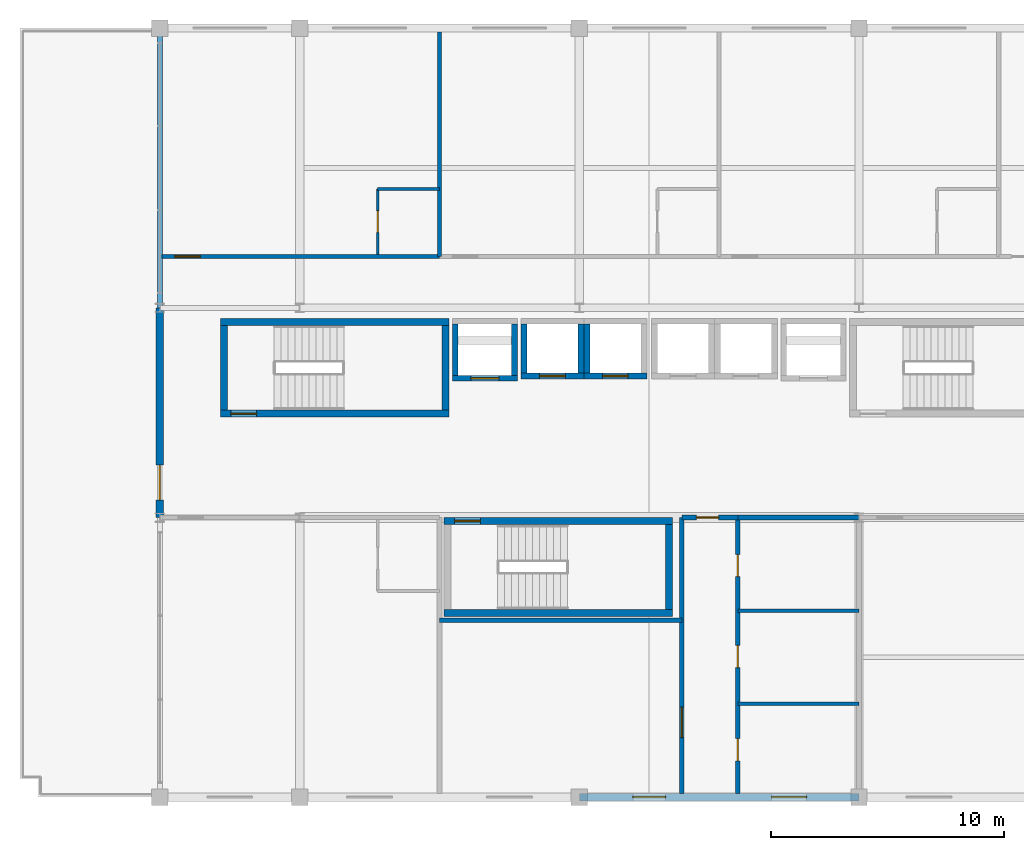
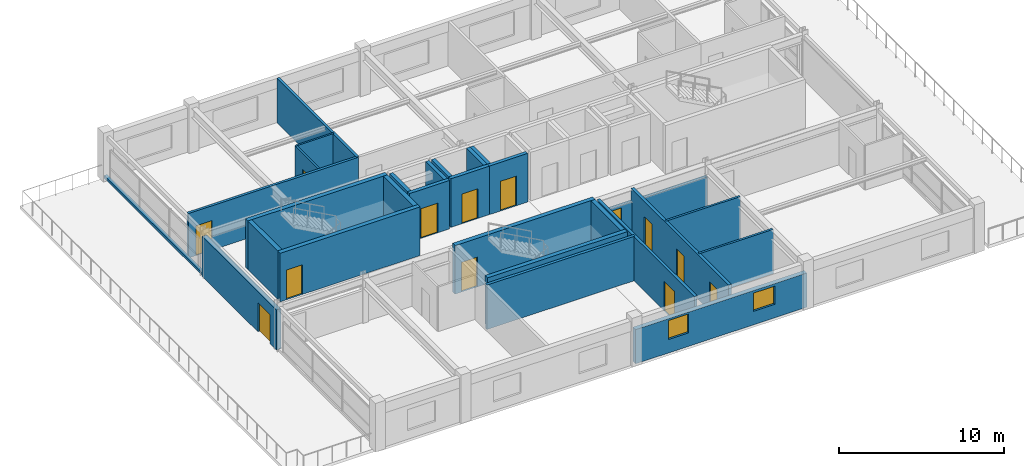
# One storey, part 20 of 24: 29 walls, 13 doors, 2 windows, 15 openings.
"""IFC4 building model written with IfcOpenShell, lengths in metres."""

from ifc_helpers import new_model, si_unit, direction, frame, frame_2d, origin, place, context, subcontext, project, spatial, rectangle, extrude, material, layer, layer_set, type_object, element, fill, save


model = new_model("IFC4")

# Units and contexts
model_context = context("Model", 3, precision=1e-05, world=origin(), true_north=direction((0.0, 1.0)))
body_context = subcontext(model_context, "Body", "Model", "MODEL_VIEW")
ifc_project = project(units=[si_unit("LENGTHUNIT", "METRE"), si_unit("AREAUNIT", "SQUARE_METRE"), si_unit("VOLUMEUNIT", "CUBIC_METRE"), si_unit("PLANEANGLEUNIT", "RADIAN"), si_unit("MASSUNIT", "GRAM", prefix="KILO")], contexts=[model_context])

# Site, building, storey
site_placement = place(None, origin())
site = spatial("IfcSite", under=ifc_project, at=site_placement, CompositionType="ELEMENT")
building_placement = place(site_placement, origin())
building = spatial("IfcBuilding", under=site, at=building_placement, Name="Kaldorvane Square Convention Centre", CompositionType="ELEMENT")
storey_placement = place(building_placement, frame((0.0, 0.0, 60.0)))
storey = spatial("IfcBuildingStorey", under=building, at=storey_placement, Name="L14", CompositionType="ELEMENT", Elevation=60.0)

# Wall, opening, door
ifc_material_1 = material(Name="Fire-Rated Gypsum Board on Acoustic Steel Studs", Category="steel")
ifc_layer_1 = layer(ifc_material_1, 0.125)
ifc_layer_set_1 = layer_set([ifc_layer_1], Name="Fire-Rated Gypsum Board on Acoustic Steel Studs")
wall_type_1 = type_object("IfcWallType", Name="WL-BATH-125", PredefinedType="PARTITIONING", material=ifc_layer_set_1)
wall_1_placement = place(storey_placement, frame((45.350006103515625, 107.28999328613281, 0.0), z_axis=(0.0, 0.0, 1.0), x_axis=(0.0, 1.0, 0.0)))
wall_1 = element("IfcWall", 1, at=wall_1_placement, inside=storey, type_object=wall_type_1, Name="En-Suite 1401 West Wall", PredefinedType="PARTITIONING", context=body_context, shape_type="SweptSolid", body=[
    extrude(rectangle(XDim=2.8100128173828125, YDim=0.125, at=frame_2d((1.404998779296875, 0.0))), origin(), (0.0, 0.0, 1.0), 3.2899932861328125),
])
opening_1_placement = place(wall_1_placement, frame((0.9499969482421875, 0.0, 0.0)))
opening_1 = element("IfcOpeningElement", 2, at=opening_1_placement, cuts=wall_1, Name="Opening ID-12", PredefinedType="OPENING", context=body_context, shape_type="SweptSolid", body=[
    extrude(rectangle(XDim=0.9199981689453125, YDim=2.100006103515625, at=frame_2d((0.459991455078125, 1.0500030517578125))), frame((0.0, 0.0774993896484375, 0.0), z_axis=(0.0, -1.0, 0.0), x_axis=(1.0, 0.0, 0.0)), (0.0, 0.0, 1.0), 0.154998779296875),
])
ifc_material_2 = material(Name="Architectural Solid-Core White Oak")
door_type_1 = type_object("IfcDoorType", Name="DR-BATH-0920X2100", OperationType="SINGLE_SWING_RIGHT", PredefinedType="DOOR", material=ifc_material_2)
door_1_placement = place(opening_1_placement, origin())
door_1 = element("IfcDoor", 3, at=door_1_placement, inside=storey, type_object=door_type_1, Name="En-Suite Bathroom 1401 Door", OperationType="SINGLE_SWING_RIGHT", OverallHeight=2.100006103515625, OverallWidth=0.9199981689453125, PredefinedType="DOOR", context=body_context, shape_type="SweptSolid", body=[
    extrude(rectangle(XDim=0.9199981689453125, YDim=2.100006103515625, at=frame_2d((0.459991455078125, 1.0500030517578125))), frame((0.0, 0.024993896484375, 0.0), z_axis=(0.0, -1.0, 0.0), x_axis=(1.0, 0.0, 0.0)), (0.0, 0.0, 1.0), 0.0500030517578125),
])
fill(opening_1, door_1)

# Wall
wall_2_placement = place(storey_placement, frame((45.350006103515625, 110.10000610351562, 0.0), z_axis=(0.0, 0.0, 1.0), x_axis=(1.0, 0.0, 0.0)))
element("IfcWall", 4, at=wall_2_placement, inside=storey, type_object=wall_type_1, Name="En-Suite 1401 North Wall", PredefinedType="PARTITIONING", context=body_context, shape_type="SweptSolid", body=[
    extrude(rectangle(XDim=2.649993896484375, YDim=0.125, at=frame_2d((1.3249969482421875, 0.0))), origin(), (0.0, 0.0, 1.0), 3.2899932861328125),
])

# Wall, opening, door
ifc_layer_2 = layer(ifc_material_1, 0.1999969482421875)
ifc_layer_set_2 = layer_set([ifc_layer_2], Name="Fire-Rated Gypsum Board on Acoustic Steel Studs")
wall_type_2 = type_object("IfcWallType", Name="WL-CORR-200", PredefinedType="PARTITIONING", material=ifc_layer_set_2)
wall_3_placement = place(storey_placement, frame((58.399993896484375, 96.0, 0.0), z_axis=(0.0, 0.0, 1.0), x_axis=(1.0, 0.0, 0.0)))
wall_3 = element("IfcWall", 5, at=wall_3_placement, inside=storey, type_object=wall_type_2, Name="Restroom Vestibule Entry Header (L14)", PredefinedType="PARTITIONING", context=body_context, shape_type="SweptSolid", body=[
    extrude(rectangle(XDim=2.4000091552734375, YDim=0.1999969482421875, at=frame_2d((1.20001220703125, 0.0))), origin(), (0.0, 0.0, 1.0), 2.3589935302734375),
])
opening_2_placement = place(wall_3_placement, frame((0.625, 0.0, 0.0)))
opening_2 = element("IfcOpeningElement", 6, at=opening_2_placement, cuts=wall_3, Name="Opening ID-13", PredefinedType="OPENING", context=body_context, shape_type="SweptSolid", body=[
    extrude(rectangle(XDim=0.9499969482421875, YDim=2.149993896484375, at=frame_2d((0.475006103515625, 1.0749969482421875))), frame((0.0, 0.114990234375, 0.0), z_axis=(0.0, -1.0, 0.0), x_axis=(1.0, 0.0, 0.0)), (0.0, 0.0, 1.0), 0.2299957275390625),
])
door_type_2 = type_object("IfcDoorType", Name="DR-WC-0950X2150", OperationType="SINGLE_SWING_LEFT", PredefinedType="DOOR", material=ifc_material_2)
door_2_placement = place(opening_2_placement, origin())
door_2 = element("IfcDoor", 7, at=door_2_placement, inside=storey, type_object=door_type_2, Name="Restroom Vestibule Door (L14)", OperationType="SINGLE_SWING_LEFT", OverallHeight=2.149993896484375, OverallWidth=0.9499969482421875, PredefinedType="DOOR", context=body_context, shape_type="SweptSolid", body=[
    extrude(rectangle(XDim=0.9499969482421875, YDim=2.149993896484375, at=frame_2d((0.475006103515625, 1.0749969482421875))), frame((0.0, 0.024993896484375, 0.0), z_axis=(0.0, -1.0, 0.0), x_axis=(1.0, 0.0, 0.0)), (0.0, 0.0, 1.0), 0.0500030517578125),
])
fill(opening_2, door_2)

wall_4_placement = place(storey_placement, frame((58.399993896484375, 84.16000366210938, 0.0), z_axis=(0.0, 0.0, 1.0), x_axis=(0.0, 1.0, 0.0)))
wall_4 = element("IfcWall", 8, at=wall_4_placement, inside=storey, type_object=wall_type_2, Name="Restroom Vestibule West Wall (L14)", PredefinedType="PARTITIONING", context=body_context, shape_type="SweptSolid", body=[
    extrude(rectangle(XDim=11.839996337890625, YDim=0.1999969482421875, at=frame_2d((5.9199981689453125, 0.0))), origin(), (0.0, 0.0, 1.0), 3.2899932861328125),
])
opening_3_placement = place(wall_4_placement, frame((2.399993896484375, 0.0, 0.0)))
opening_3 = element("IfcOpeningElement", 9, at=opening_3_placement, cuts=wall_4, Name="Opening ID-09", PredefinedType="OPENING", context=body_context, shape_type="SweptSolid", body=[
    extrude(rectangle(XDim=1.3000030517578125, YDim=2.1999969482421875, at=frame_2d((0.649993896484375, 1.100006103515625))), frame((0.0, 0.114990234375, 0.0), z_axis=(0.0, -1.0, 0.0), x_axis=(1.0, 0.0, 0.0)), (0.0, 0.0, 1.0), 0.2299957275390625),
])
ifc_material_3 = material(Name="Insulated Hollow Metal Steel", Category="steel")
door_type_3 = type_object("IfcDoorType", Name="DR-SVC-1300X2200", OperationType="DOUBLE_DOOR_SINGLE_SWING", PredefinedType="DOOR", material=ifc_material_3)
door_3_placement = place(opening_3_placement, origin())
door_3 = element("IfcDoor", 10, at=door_3_placement, inside=storey, type_object=door_type_3, Name="Housekeeping and Linen Room (L14) Door", OperationType="DOUBLE_DOOR_SINGLE_SWING", OverallHeight=2.1999969482421875, OverallWidth=1.3000030517578125, PredefinedType="DOOR", context=body_context, shape_type="SweptSolid", body=[
    extrude(rectangle(XDim=1.3000030517578125, YDim=2.1999969482421875, at=frame_2d((0.649993896484375, 1.100006103515625))), frame((0.0, 0.024993896484375, 0.0), z_axis=(0.0, -1.0, 0.0), x_axis=(1.0, 0.0, 0.0)), (0.0, 0.0, 1.0), 0.0500030517578125),
])
fill(opening_3, door_3)

# Wall, openings, doors
wall_5_placement = place(storey_placement, frame((60.80000305175781, 84.16000366210938, 0.0), z_axis=(0.0, 0.0, 1.0), x_axis=(0.0, 1.0, 0.0)))
wall_5 = element("IfcWall", 11, at=wall_5_placement, inside=storey, type_object=wall_type_2, Name="Restroom Vestibule East Wall (L14)", PredefinedType="PARTITIONING", context=body_context, shape_type="SweptSolid", body=[
    extrude(rectangle(XDim=11.839996337890625, YDim=0.1999969482421875, at=frame_2d((5.9199981689453125, 0.0))), origin(), (0.0, 0.0, 1.0), 3.2899932861328125),
])
opening_4_placement = place(wall_5_placement, frame((1.399993896484375, 0.0, 0.0)))
opening_4 = element("IfcOpeningElement", 12, at=opening_4_placement, cuts=wall_5, Name="Opening ID-13", PredefinedType="OPENING", context=body_context, shape_type="SweptSolid", body=[
    extrude(rectangle(XDim=0.9499969482421875, YDim=2.149993896484375, at=frame_2d((0.475006103515625, 1.0749969482421875))), frame((0.0, 0.114990234375, 0.0), z_axis=(0.0, -1.0, 0.0), x_axis=(1.0, 0.0, 0.0)), (0.0, 0.0, 1.0), 0.2299957275390625),
])
opening_5_placement = place(wall_5_placement, frame((5.399993896484375, 0.0, 0.0)))
opening_5 = element("IfcOpeningElement", 13, at=opening_5_placement, cuts=wall_5, Name="Opening ID-13", PredefinedType="OPENING", context=body_context, shape_type="SweptSolid", body=[
    extrude(rectangle(XDim=0.9499969482421875, YDim=2.149993896484375, at=frame_2d((0.475006103515625, 1.0749969482421875))), frame((0.0, 0.114990234375, 0.0), z_axis=(0.0, -1.0, 0.0), x_axis=(1.0, 0.0, 0.0)), (0.0, 0.0, 1.0), 0.2299957275390625),
])
opening_6_placement = place(wall_5_placement, frame((9.300003051757812, 0.0, 0.0)))
opening_6 = element("IfcOpeningElement", 14, at=opening_6_placement, cuts=wall_5, Name="Opening ID-13", PredefinedType="OPENING", context=body_context, shape_type="SweptSolid", body=[
    extrude(rectangle(XDim=0.9499969482421875, YDim=2.149993896484375, at=frame_2d((0.475006103515625, 1.0749969482421875))), frame((0.0, 0.114990234375, 0.0), z_axis=(0.0, -1.0, 0.0), x_axis=(1.0, 0.0, 0.0)), (0.0, 0.0, 1.0), 0.2299957275390625),
])
door_4_placement = place(opening_4_placement, origin())
door_4 = element("IfcDoor", 15, at=door_4_placement, inside=storey, type_object=door_type_2, Name="Accessible Restroom Door (L14)", OperationType="SINGLE_SWING_LEFT", OverallHeight=2.149993896484375, OverallWidth=0.9499969482421875, PredefinedType="DOOR", context=body_context, shape_type="SweptSolid", body=[
    extrude(rectangle(XDim=0.9499969482421875, YDim=2.149993896484375, at=frame_2d((0.475006103515625, 1.0749969482421875))), frame((0.0, 0.024993896484375, 0.0), z_axis=(0.0, -1.0, 0.0), x_axis=(1.0, 0.0, 0.0)), (0.0, 0.0, 1.0), 0.0500030517578125),
])
fill(opening_4, door_4)
door_5_placement = place(opening_5_placement, origin())
door_5 = element("IfcDoor", 16, at=door_5_placement, inside=storey, type_object=door_type_2, Name="Men's Restroom Door (L14)", OperationType="SINGLE_SWING_LEFT", OverallHeight=2.149993896484375, OverallWidth=0.9499969482421875, PredefinedType="DOOR", context=body_context, shape_type="SweptSolid", body=[
    extrude(rectangle(XDim=0.9499969482421875, YDim=2.149993896484375, at=frame_2d((0.475006103515625, 1.0749969482421875))), frame((0.0, 0.024993896484375, 0.0), z_axis=(0.0, -1.0, 0.0), x_axis=(1.0, 0.0, 0.0)), (0.0, 0.0, 1.0), 0.0500030517578125),
])
fill(opening_5, door_5)
door_6_placement = place(opening_6_placement, origin())
door_6 = element("IfcDoor", 17, at=door_6_placement, inside=storey, type_object=door_type_2, Name="Women's Restroom Door (L14)", OperationType="SINGLE_SWING_LEFT", OverallHeight=2.149993896484375, OverallWidth=0.9499969482421875, PredefinedType="DOOR", context=body_context, shape_type="SweptSolid", body=[
    extrude(rectangle(XDim=0.9499969482421875, YDim=2.149993896484375, at=frame_2d((0.475006103515625, 1.0749969482421875))), frame((0.0, 0.024993896484375, 0.0), z_axis=(0.0, -1.0, 0.0), x_axis=(1.0, 0.0, 0.0)), (0.0, 0.0, 1.0), 0.0500030517578125),
])
fill(opening_6, door_6)

# Walls
wall_6_placement = place(storey_placement, frame((60.80000305175781, 96.0, 0.0), z_axis=(0.0, 0.0, 1.0), x_axis=(1.0, 0.0, 0.0)))
element("IfcWall", 18, at=wall_6_placement, inside=storey, type_object=wall_type_2, Name="Restroom North Wall (L14)", PredefinedType="PARTITIONING", context=body_context, shape_type="SweptSolid", body=[
    extrude(rectangle(XDim=5.1999969482421875, YDim=0.1999969482421875, at=frame_2d((2.600006103515625, 0.0))), origin(), (0.0, 0.0, 1.0), 2.3589935302734375),
])
wall_7_placement = place(storey_placement, frame((48.0, 91.60000610351562, 0.0), z_axis=(0.0, 0.0, 1.0), x_axis=(1.0, 0.0, 0.0)))
element("IfcWall", 19, at=wall_7_placement, inside=storey, type_object=wall_type_2, Name="Housekeeping North Wall (L14)", PredefinedType="PARTITIONING", context=body_context, shape_type="SweptSolid", body=[
    extrude(rectangle(XDim=10.399993896484375, YDim=0.1999969482421875, at=frame_2d((5.1999969482421875, 0.0))), origin(), (0.0, 0.0, 1.0), 3.2899932861328125),
])

# Wall, openings, windows
ifc_material_4 = material(Name="Concrete f'c = 35 MPa (Normalweight)", Category="concrete")
ifc_layer_3 = layer(ifc_material_4, 0.32000732421875)
ifc_layer_set_3 = layer_set([ifc_layer_3], Name="Concrete f'c = 35 MPa (Normalweight)")
wall_type_3 = type_object("IfcWallType", Name="WL-EXT-320", PredefinedType="STANDARD", material=ifc_layer_set_3)
wall_8_placement = place(storey_placement, frame((54.0, 84.0, 0.0), z_axis=(0.0, 0.0, 1.0), x_axis=(1.0, 0.0, 0.0)))
wall_8 = element("IfcWall", 20, at=wall_8_placement, inside=storey, type_object=wall_type_3, Name="Hotel S Brutalist Facade Wall (L14)", PredefinedType="STANDARD", context=body_context, shape_type="SweptSolid", body=[
    extrude(rectangle(XDim=12.0, YDim=0.32000732421875, at=frame_2d((6.0, 0.0))), origin(), (0.0, 0.0, 1.0), 2.5359954833984375),
])
opening_7_placement = place(wall_8_placement, frame((2.3000030517578125, 0.0, 1.0)))
opening_7 = element("IfcOpeningElement", 21, at=opening_7_placement, cuts=wall_8, Name="Opening W-13", PredefinedType="OPENING", context=body_context, shape_type="SweptSolid", body=[
    extrude(rectangle(XDim=1.399993896484375, YDim=1.399993896484375, at=frame_2d((0.6999969482421875, 0.6999969482421875))), frame((0.0, 0.1750030517578125, 0.0), z_axis=(0.0, -1.0, 0.0), x_axis=(1.0, 0.0, 0.0)), (0.0, 0.0, 1.0), 0.350006103515625),
])
opening_8_placement = place(wall_8_placement, frame((8.25, 0.0, 1.0)))
opening_8 = element("IfcOpeningElement", 22, at=opening_8_placement, cuts=wall_8, Name="Opening W-14", PredefinedType="OPENING", context=body_context, shape_type="SweptSolid", body=[
    extrude(rectangle(XDim=1.5, YDim=1.350006103515625, at=frame_2d((0.75, 0.6750030517578125))), frame((0.0, 0.1750030517578125, 0.0), z_axis=(0.0, -1.0, 0.0), x_axis=(1.0, 0.0, 0.0)), (0.0, 0.0, 1.0), 0.350006103515625),
])
ifc_material_5 = material(Name="Anodized Aluminum and Low-E Insulated Glazing", Category="aluminium")
window_type_1 = type_object("IfcWindowType", Name="WN-HTL-1400X1400", PartitioningType="SINGLE_PANEL", PredefinedType="WINDOW", material=ifc_material_5)
window_1_placement = place(opening_7_placement, origin())
window_1 = element("IfcWindow", 23, at=window_1_placement, inside=storey, type_object=window_type_1, Name="Hotel S Window (L14)", OverallHeight=1.399993896484375, OverallWidth=1.399993896484375, PartitioningType="SINGLE_PANEL", PredefinedType="WINDOW", context=body_context, shape_type="SweptSolid", body=[
    extrude(rectangle(XDim=1.399993896484375, YDim=1.399993896484375, at=frame_2d((0.6999969482421875, 0.6999969482421875))), frame((0.0, 0.029998779296875, 0.0), z_axis=(0.0, -1.0, 0.0), x_axis=(1.0, 0.0, 0.0)), (0.0, 0.0, 1.0), 0.05999755859375),
])
fill(opening_7, window_1)
window_type_2 = type_object("IfcWindowType", Name="WN-HTL-1500X1350", PartitioningType="SINGLE_PANEL", PredefinedType="WINDOW", material=ifc_material_5)
window_2_placement = place(opening_8_placement, origin())
window_2 = element("IfcWindow", 24, at=window_2_placement, inside=storey, type_object=window_type_2, Name="Hotel S Window (L14)", OverallHeight=1.350006103515625, OverallWidth=1.5, PartitioningType="SINGLE_PANEL", PredefinedType="WINDOW", context=body_context, shape_type="SweptSolid", body=[
    extrude(rectangle(XDim=1.5, YDim=1.350006103515625, at=frame_2d((0.75, 0.6750030517578125))), frame((0.0, 0.029998779296875, 0.0), z_axis=(0.0, -1.0, 0.0), x_axis=(1.0, 0.0, 0.0)), (0.0, 0.0, 1.0), 0.05999755859375),
])
fill(opening_8, window_2)

# Wall, opening, door
wall_9_placement = place(storey_placement, frame((36.0, 105.0, 0.0), z_axis=(0.0, 0.0, 1.0), x_axis=(0.0, -1.0, 0.0)))
wall_9 = element("IfcWall", 25, at=wall_9_placement, inside=storey, type_object=wall_type_3, Name="Hotel W End Wall (L14)", PredefinedType="STANDARD", context=body_context, shape_type="SweptSolid", body=[
    extrude(rectangle(XDim=9.0, YDim=0.32000732421875, at=frame_2d((4.5, 0.0))), origin(), (0.0, 0.0, 1.0), 2.9810028076171875),
])
opening_9_placement = place(wall_9_placement, frame((6.75, 0.0, 0.0)))
opening_9 = element("IfcOpeningElement", 26, at=opening_9_placement, cuts=wall_9, Name="Opening TD-03", PredefinedType="OPENING", context=body_context, shape_type="SweptSolid", body=[
    extrude(rectangle(XDim=1.5, YDim=2.149993896484375, at=frame_2d((0.75, 1.0749969482421875))), frame((0.0, 0.1750030517578125, 0.0), z_axis=(0.0, -1.0, 0.0), x_axis=(1.0, 0.0, 0.0)), (0.0, 0.0, 1.0), 0.350006103515625),
])
ifc_material_6 = material(Name="Thermally Broken Aluminum and Tempered Glass", Category="aluminium")
door_type_4 = type_object("IfcDoorType", Name="DR-TER-1500X2150", OperationType="DOUBLE_DOOR_SLIDING", PredefinedType="DOOR", material=ifc_material_6)
door_7_placement = place(opening_9_placement, origin())
door_7 = element("IfcDoor", 27, at=door_7_placement, inside=storey, type_object=door_type_4, Name="Setback Sky Terrace Door W (L14)", OperationType="DOUBLE_DOOR_SLIDING", OverallHeight=2.149993896484375, OverallWidth=1.5, PredefinedType="DOOR", context=body_context, shape_type="SweptSolid", body=[
    extrude(rectangle(XDim=1.5, YDim=2.149993896484375, at=frame_2d((0.75, 1.0749969482421875))), frame((0.0, 0.024993896484375, 0.0), z_axis=(0.0, -1.0, 0.0), x_axis=(1.0, 0.0, 0.0)), (0.0, 0.0, 1.0), 0.0500030517578125),
])
fill(opening_9, door_7)

# Walls
ifc_layer_4 = layer(ifc_material_4, 0.220001220703125)
ifc_layer_set_4 = layer_set([ifc_layer_4], Name="Concrete f'c = 35 MPa (Normalweight)")
wall_type_4 = type_object("IfcWallType", Name="WL-PAR-220", PredefinedType="PARAPET", material=ifc_layer_set_4)
wall_10_placement = place(storey_placement, frame((36.0, 117.0, 0.0), z_axis=(0.0, 0.0, 1.0), x_axis=(0.0, -1.0, 0.0)))
element("IfcWall", 28, at=wall_10_placement, inside=storey, type_object=wall_type_4, Name="Hotel End Curtain-Wall Sill (L14)", PredefinedType="PARAPET", context=body_context, shape_type="SweptSolid", body=[
    extrude(rectangle(XDim=12.0, YDim=0.220001220703125, at=frame_2d((6.0, 0.0))), origin(), (0.0, 0.0, 1.0), 0.1999969482421875),
])
ifc_layer_5 = layer(ifc_material_1, 0.149993896484375)
ifc_layer_set_5 = layer_set([ifc_layer_5], Name="Fire-Rated Gypsum Board on Acoustic Steel Studs")
wall_type_5 = type_object("IfcWallType", Name="WL-PART-150", PredefinedType="PARTITIONING", material=ifc_layer_set_5)
for number, where, z_axis, x_axis, name in (
    (29, (60.80000305175781, 88.0, 0.0), (0.0, 0.0, 1.0), (1.0, 0.0, 0.0), "Restroom Partition 1 (L14)"),
    (30, (60.80000305175781, 92.0, 0.0), (0.0, 0.0, 1.0), (1.0, 0.0, 0.0), "Restroom Partition 2 (L14)"),
):
    element("IfcWall", number, at=place(storey_placement, frame(where, z_axis=z_axis, x_axis=x_axis)), inside=storey, type_object=wall_type_5, Name=name, PredefinedType="PARTITIONING", context=body_context, shape_type="SweptSolid", body=[
        extrude(rectangle(XDim=5.1999969482421875, YDim=0.149993896484375, at=frame_2d((2.600006103515625, 0.0))), origin(), (0.0, 0.0, 1.0), 3.2899932861328125),
    ])

# Wall, opening, door
ifc_material_7 = material(Name="Concrete f'c = 55 MPa (Normalweight)", Category="concrete")
ifc_layer_6 = layer(ifc_material_7, 0.3000030517578125)
ifc_layer_set_6 = layer_set([ifc_layer_6], Name="Concrete f'c = 55 MPa (Normalweight)")
wall_type_6 = type_object("IfcWallType", Name="WL-SHAFT-300", PredefinedType="SHEAR", material=ifc_layer_set_6)
wall_11_placement = place(storey_placement, frame((38.600006103515625, 100.46000671386719, 0.0), z_axis=(0.0, 0.0, 1.0), x_axis=(1.0, 0.0, 0.0)))
wall_11 = element("IfcWall", 31, at=wall_11_placement, inside=storey, type_object=wall_type_6, Name="Core Enclosure Wall stair:ST-T1-S (L14)", PredefinedType="SHEAR", context=body_context, shape_type="SweptSolid", body=[
    extrude(rectangle(XDim=9.79998779296875, YDim=0.3000030517578125, at=frame_2d((4.899993896484375, 0.0))), origin(), (0.0, 0.0, 1.0), 3.600006103515625),
])
opening_10_placement = place(wall_11_placement, frame((0.4499969482421875, 0.0, 0.0)))
opening_10 = element("IfcOpeningElement", 32, at=opening_10_placement, cuts=wall_11, Name="Opening FD90-S1", PredefinedType="OPENING", context=body_context, shape_type="SweptSolid", body=[
    extrude(rectangle(XDim=1.100006103515625, YDim=2.1999969482421875, at=frame_2d((0.5500030517578125, 1.100006103515625))), frame((0.0, 0.165008544921875, 0.0), z_axis=(0.0, -1.0, 0.0), x_axis=(1.0, 0.0, 0.0)), (0.0, 0.0, 1.0), 0.3300018310546875),
])
ifc_material_8 = material(Name="Fire-Rated Hollow Metal Steel", Category="steel")
door_type_5 = type_object("IfcDoorType", Name="DR-STAIR-1100", OperationType="SINGLE_SWING_RIGHT", PredefinedType="DOOR", material=ifc_material_8)
door_8_placement = place(opening_10_placement, origin())
door_8 = element("IfcDoor", 33, at=door_8_placement, inside=storey, type_object=door_type_5, Name="Tower Exit Stair T1 Fire Door (L14)", OperationType="SINGLE_SWING_RIGHT", OverallHeight=2.1999969482421875, OverallWidth=1.100006103515625, PredefinedType="DOOR", context=body_context, shape_type="SweptSolid", body=[
    extrude(rectangle(XDim=1.100006103515625, YDim=2.1999969482421875, at=frame_2d((0.5500030517578125, 1.100006103515625))), frame((0.0, 0.024993896484375, 0.0), z_axis=(0.0, -1.0, 0.0), x_axis=(1.0, 0.0, 0.0)), (0.0, 0.0, 1.0), 0.0500030517578125),
])
fill(opening_10, door_8)

# Walls
wall_12_placement = place(storey_placement, frame((48.399993896484375, 104.39999389648438, 0.0), z_axis=(0.0, 0.0, 1.0), x_axis=(-1.0, 0.0, 0.0)))
element("IfcWall", 34, at=wall_12_placement, inside=storey, type_object=wall_type_6, Name="Core Enclosure Wall stair:ST-T1-N (L14)", PredefinedType="SHEAR", context=body_context, shape_type="SweptSolid", body=[
    extrude(rectangle(XDim=9.79998779296875, YDim=0.3000030517578125, at=frame_2d((4.899993896484375, 0.0))), origin(), (0.0, 0.0, 1.0), 3.600006103515625),
])
for number, where, z_axis, x_axis, name in (
    (35, (38.75, 104.25, 0.0), (0.0, 0.0, 1.0), (0.0, -1.0, 0.0), "Core Enclosure Wall stair:ST-T1-W (L14)"),
    (36, (48.25, 100.61000061035156, 0.0), (0.0, 0.0, 1.0), (0.0, 1.0, 0.0), "Core Enclosure Wall stair:ST-T1-E (L14)"),
):
    element("IfcWall", number, at=place(storey_placement, frame(where, z_axis=z_axis, x_axis=x_axis)), inside=storey, type_object=wall_type_6, Name=name, PredefinedType="SHEAR", context=body_context, shape_type="SweptSolid", body=[
        extrude(rectangle(XDim=3.6399993896484375, YDim=0.3000030517578125, at=frame_2d((1.82000732421875, 0.0))), origin(), (0.0, 0.0, 1.0), 3.600006103515625),
    ])
wall_13_placement = place(storey_placement, frame((48.19999694824219, 91.91000366210938, 0.0), z_axis=(0.0, 0.0, 1.0), x_axis=(1.0, 0.0, 0.0)))
element("IfcWall", 37, at=wall_13_placement, inside=storey, type_object=wall_type_6, Name="Core Enclosure Wall stair:ST-T3-S (L14)", PredefinedType="SHEAR", context=body_context, shape_type="SweptSolid", body=[
    extrude(rectangle(XDim=9.800003051757812, YDim=0.3000030517578125, at=frame_2d((4.899993896484375, 0.0))), origin(), (0.0, 0.0, 1.0), 3.600006103515625),
])

# Wall, opening, door
wall_14_placement = place(storey_placement, frame((58.0, 95.85000610351562, 0.0), z_axis=(0.0, 0.0, 1.0), x_axis=(-1.0, 0.0, 0.0)))
wall_14 = element("IfcWall", 38, at=wall_14_placement, inside=storey, type_object=wall_type_6, Name="Core Enclosure Wall stair:ST-T3-N (L14)", PredefinedType="SHEAR", context=body_context, shape_type="SweptSolid", body=[
    extrude(rectangle(XDim=9.800003051757812, YDim=0.3000030517578125, at=frame_2d((4.899993896484375, 0.0))), origin(), (0.0, 0.0, 1.0), 3.600006103515625),
])
opening_11_placement = place(wall_14_placement, frame((8.25, 0.0, 0.0)))
opening_11 = element("IfcOpeningElement", 39, at=opening_11_placement, cuts=wall_14, Name="Opening FD90-S1", PredefinedType="OPENING", context=body_context, shape_type="SweptSolid", body=[
    extrude(rectangle(XDim=1.100006103515625, YDim=2.1999969482421875, at=frame_2d((0.5500030517578125, 1.100006103515625))), frame((0.0, 0.165008544921875, 0.0), z_axis=(0.0, -1.0, 0.0), x_axis=(1.0, 0.0, 0.0)), (0.0, 0.0, 1.0), 0.3300018310546875),
])
door_9_placement = place(opening_11_placement, origin())
door_9 = element("IfcDoor", 40, at=door_9_placement, inside=storey, type_object=door_type_5, Name="Tower Exit Stair T3 Fire Door (L14)", OperationType="SINGLE_SWING_RIGHT", OverallHeight=2.1999969482421875, OverallWidth=1.100006103515625, PredefinedType="DOOR", context=body_context, shape_type="SweptSolid", body=[
    extrude(rectangle(XDim=1.100006103515625, YDim=2.1999969482421875, at=frame_2d((0.5500030517578125, 1.100006103515625))), frame((0.0, 0.024993896484375, 0.0), z_axis=(0.0, -1.0, 0.0), x_axis=(1.0, 0.0, 0.0)), (0.0, 0.0, 1.0), 0.0500030517578125),
])
fill(opening_11, door_9)

# Wall
wall_15_placement = place(storey_placement, frame((57.850006103515625, 92.05999755859375, 0.0), z_axis=(0.0, 0.0, 1.0), x_axis=(0.0, 1.0, 0.0)))
element("IfcWall", 41, at=wall_15_placement, inside=storey, type_object=wall_type_6, Name="Core Enclosure Wall stair:ST-T3-E (L14)", PredefinedType="SHEAR", context=body_context, shape_type="SweptSolid", body=[
    extrude(rectangle(XDim=3.6399993896484375, YDim=0.3000030517578125, at=frame_2d((1.82000732421875, 0.0))), origin(), (0.0, 0.0, 1.0), 3.600006103515625),
])

# Wall, opening, door
wall_16_placement = place(storey_placement, frame((48.55000305175781, 101.97500610351562, 0.0), z_axis=(0.0, 0.0, 1.0), x_axis=(1.0, 0.0, 0.0)))
wall_16 = element("IfcWall", 42, at=wall_16_placement, inside=storey, type_object=wall_type_6, Name="Core Enclosure Wall lift:FSAE-01-S (L14)", PredefinedType="SHEAR", context=body_context, shape_type="SweptSolid", body=[
    extrude(rectangle(XDim=2.8000030517578125, YDim=0.25, at=frame_2d((1.399993896484375, 0.0))), origin(), (0.0, 0.0, 1.0), 3.600006103515625),
])
opening_12_placement = place(wall_16_placement, frame((0.8000030517578125, 0.0, 0.0)))
opening_12 = element("IfcOpeningElement", 43, at=opening_12_placement, cuts=wall_16, Name="Opening LD-02", PredefinedType="OPENING", context=body_context, shape_type="SweptSolid", body=[
    extrude(rectangle(XDim=1.1999969482421875, YDim=2.1999969482421875, at=frame_2d((0.600006103515625, 1.100006103515625))), frame((0.0, 0.1399993896484375, 0.0), z_axis=(0.0, -1.0, 0.0), x_axis=(1.0, 0.0, 0.0)), (0.0, 0.0, 1.0), 0.279998779296875),
])
ifc_material_9 = material(Name="Stainless Steel Elevator Door Assembly", Category="steel")
door_type_6 = type_object("IfcDoorType", Name="DR-LIFT-1200", OperationType="DOUBLE_DOOR_SLIDING", PredefinedType="DOOR", material=ifc_material_9)
door_10_placement = place(opening_12_placement, origin())
door_10 = element("IfcDoor", 44, at=door_10_placement, inside=storey, type_object=door_type_6, Name="Elevator Landing Door FSAE-01 (L14)", OperationType="DOUBLE_DOOR_SLIDING", OverallHeight=2.1999969482421875, OverallWidth=1.1999969482421875, PredefinedType="DOOR", context=body_context, shape_type="SweptSolid", body=[
    extrude(rectangle(XDim=1.1999969482421875, YDim=2.1999969482421875, at=frame_2d((0.600006103515625, 1.100006103515625))), frame((0.0, 0.024993896484375, 0.0), z_axis=(0.0, -1.0, 0.0), x_axis=(1.0, 0.0, 0.0)), (0.0, 0.0, 1.0), 0.0500030517578125),
])
fill(opening_12, door_10)

# Walls
for number, where, z_axis, x_axis, name in (
    (45, (48.67500305175781, 104.30000305175781, 0.0), (0.0, 0.0, 1.0), (0.0, -1.0, 0.0), "Core Enclosure Wall lift:FSAE-01-W (L14)"),
    (46, (51.225006103515625, 102.10000610351562, 0.0), (0.0, 0.0, 1.0), (0.0, 1.0, 0.0), "Core Enclosure Wall lift:FSAE-01-E (L14)"),
):
    element("IfcWall", number, at=place(storey_placement, frame(where, z_axis=z_axis, x_axis=x_axis)), inside=storey, type_object=wall_type_6, Name=name, PredefinedType="SHEAR", context=body_context, shape_type="SweptSolid", body=[
        extrude(rectangle(XDim=2.1999969482421875, YDim=0.25, at=frame_2d((1.100006103515625, 0.0))), origin(), (0.0, 0.0, 1.0), 3.600006103515625),
    ])

# Wall, opening, door
wall_17_placement = place(storey_placement, frame((51.5, 102.07499694824219, 0.0), z_axis=(0.0, 0.0, 1.0), x_axis=(1.0, 0.0, 0.0)))
wall_17 = element("IfcWall", 47, at=wall_17_placement, inside=storey, type_object=wall_type_6, Name="Core Enclosure Wall lift:EL-P1-S (L14)", PredefinedType="SHEAR", context=body_context, shape_type="SweptSolid", body=[
    extrude(rectangle(XDim=2.6999969482421875, YDim=0.25, at=frame_2d((1.350006103515625, 0.0))), origin(), (0.0, 0.0, 1.0), 3.600006103515625),
])
opening_13_placement = place(wall_17_placement, frame((0.8000030517578125, 0.0, 0.0)))
opening_13 = element("IfcOpeningElement", 48, at=opening_13_placement, cuts=wall_17, Name="Opening LD-01", PredefinedType="OPENING", context=body_context, shape_type="SweptSolid", body=[
    extrude(rectangle(XDim=1.100006103515625, YDim=2.1999969482421875, at=frame_2d((0.5500030517578125, 1.100006103515625))), frame((0.0, 0.1399993896484375, 0.0), z_axis=(0.0, -1.0, 0.0), x_axis=(1.0, 0.0, 0.0)), (0.0, 0.0, 1.0), 0.279998779296875),
])
door_type_7 = type_object("IfcDoorType", Name="DR-LIFT-1100", OperationType="DOUBLE_DOOR_SLIDING", PredefinedType="DOOR", material=ifc_material_9)
door_11_placement = place(opening_13_placement, origin())
door_11 = element("IfcDoor", 49, at=door_11_placement, inside=storey, type_object=door_type_7, Name="Elevator Landing Door EL-P1 (L14)", OperationType="DOUBLE_DOOR_SLIDING", OverallHeight=2.1999969482421875, OverallWidth=1.100006103515625, PredefinedType="DOOR", context=body_context, shape_type="SweptSolid", body=[
    extrude(rectangle(XDim=1.100006103515625, YDim=2.1999969482421875, at=frame_2d((0.5500030517578125, 1.100006103515625))), frame((0.0, 0.024993896484375, 0.0), z_axis=(0.0, -1.0, 0.0), x_axis=(1.0, 0.0, 0.0)), (0.0, 0.0, 1.0), 0.0500030517578125),
])
fill(opening_13, door_11)

# Walls
for number, where, z_axis, x_axis, name in (
    (50, (51.625, 104.30000305175781, 0.0), (0.0, 0.0, 1.0), (0.0, -1.0, 0.0), "Core Enclosure Wall lift:EL-P1-W (L14)"),
    (51, (54.07499694824219, 102.19999694824219, 0.0), (0.0, 0.0, 1.0), (0.0, 1.0, 0.0), "Core Enclosure Wall lift:EL-P1-E (L14)"),
):
    element("IfcWall", number, at=place(storey_placement, frame(where, z_axis=z_axis, x_axis=x_axis)), inside=storey, type_object=wall_type_6, Name=name, PredefinedType="SHEAR", context=body_context, shape_type="SweptSolid", body=[
        extrude(rectangle(XDim=2.100006103515625, YDim=0.25, at=frame_2d((1.0500030517578125, 0.0))), origin(), (0.0, 0.0, 1.0), 3.600006103515625),
    ])

# Wall, opening, door
wall_18_placement = place(storey_placement, frame((54.19999694824219, 102.07499694824219, 0.0), z_axis=(0.0, 0.0, 1.0), x_axis=(1.0, 0.0, 0.0)))
wall_18 = element("IfcWall", 52, at=wall_18_placement, inside=storey, type_object=wall_type_6, Name="Core Enclosure Wall lift:EL-P2-S (L14)", PredefinedType="SHEAR", context=body_context, shape_type="SweptSolid", body=[
    extrude(rectangle(XDim=2.6999969482421875, YDim=0.25, at=frame_2d((1.350006103515625, 0.0))), origin(), (0.0, 0.0, 1.0), 3.600006103515625),
])
opening_14_placement = place(wall_18_placement, frame((0.8000030517578125, 0.0, 0.0)))
opening_14 = element("IfcOpeningElement", 53, at=opening_14_placement, cuts=wall_18, Name="Opening LD-01", PredefinedType="OPENING", context=body_context, shape_type="SweptSolid", body=[
    extrude(rectangle(XDim=1.100006103515625, YDim=2.1999969482421875, at=frame_2d((0.5500030517578125, 1.100006103515625))), frame((0.0, 0.1399993896484375, 0.0), z_axis=(0.0, -1.0, 0.0), x_axis=(1.0, 0.0, 0.0)), (0.0, 0.0, 1.0), 0.279998779296875),
])
door_12_placement = place(opening_14_placement, origin())
door_12 = element("IfcDoor", 54, at=door_12_placement, inside=storey, type_object=door_type_7, Name="Elevator Landing Door EL-P2 (L14)", OperationType="DOUBLE_DOOR_SLIDING", OverallHeight=2.1999969482421875, OverallWidth=1.100006103515625, PredefinedType="DOOR", context=body_context, shape_type="SweptSolid", body=[
    extrude(rectangle(XDim=1.100006103515625, YDim=2.1999969482421875, at=frame_2d((0.5500030517578125, 1.100006103515625))), frame((0.0, 0.024993896484375, 0.0), z_axis=(0.0, -1.0, 0.0), x_axis=(1.0, 0.0, 0.0)), (0.0, 0.0, 1.0), 0.0500030517578125),
])
fill(opening_14, door_12)

# Wall
wall_19_placement = place(storey_placement, frame((54.32499694824219, 104.30000305175781, 0.0), z_axis=(0.0, 0.0, 1.0), x_axis=(0.0, -1.0, 0.0)))
element("IfcWall", 55, at=wall_19_placement, inside=storey, type_object=wall_type_6, Name="Core Enclosure Wall lift:EL-P2-W (L14)", PredefinedType="SHEAR", context=body_context, shape_type="SweptSolid", body=[
    extrude(rectangle(XDim=2.100006103515625, YDim=0.25, at=frame_2d((1.0500030517578125, 0.0))), origin(), (0.0, 0.0, 1.0), 3.600006103515625),
])

# Wall, opening, door
ifc_layer_7 = layer(ifc_material_1, 0.17999267578125)
ifc_layer_set_7 = layer_set([ifc_layer_7], Name="Fire-Rated Gypsum Board on Acoustic Steel Studs")
wall_type_7 = type_object("IfcWallType", Name="WL-UNIT-180", PredefinedType="PARTITIONING", material=ifc_layer_set_7)
wall_20_placement = place(storey_placement, frame((36.08500671386719, 107.19999694824219, 0.0), z_axis=(0.0, 0.0, 1.0), x_axis=(1.0, 0.0, 0.0)))
wall_20 = element("IfcWall", 56, at=wall_20_placement, inside=storey, type_object=wall_type_7, Name="Presidential Suite 1401 Corridor Wall", PredefinedType="PARTITIONING", context=body_context, shape_type="SweptSolid", body=[
    extrude(rectangle(XDim=11.914993286132812, YDim=0.17999267578125, at=frame_2d((5.957489013671875, 0.0))), origin(), (0.0, 0.0, 1.0), 3.2899932861328125),
])
opening_15_placement = place(wall_20_placement, frame((0.5500030517578125, 0.0, 0.0)))
opening_15 = element("IfcOpeningElement", 57, at=opening_15_placement, cuts=wall_20, Name="Opening ID-11", PredefinedType="OPENING", context=body_context, shape_type="SweptSolid", body=[
    extrude(rectangle(XDim=1.100006103515625, YDim=2.1999969482421875, at=frame_2d((0.5500030517578125, 1.100006103515625))), frame((0.0, 0.1049957275390625, 0.0), z_axis=(0.0, -1.0, 0.0), x_axis=(1.0, 0.0, 0.0)), (0.0, 0.0, 1.0), 0.209991455078125),
])
door_type_8 = type_object("IfcDoorType", Name="DR-SUITE-1100X2200", OperationType="SINGLE_SWING_LEFT", PredefinedType="DOOR", material=ifc_material_2)
door_13_placement = place(opening_15_placement, origin())
door_13 = element("IfcDoor", 58, at=door_13_placement, inside=storey, type_object=door_type_8, Name="Presidential Suite 1401 Entry Door", OperationType="SINGLE_SWING_LEFT", OverallHeight=2.1999969482421875, OverallWidth=1.100006103515625, PredefinedType="DOOR", context=body_context, shape_type="SweptSolid", body=[
    extrude(rectangle(XDim=1.100006103515625, YDim=2.1999969482421875, at=frame_2d((0.5500030517578125, 1.100006103515625))), frame((0.0, 0.024993896484375, 0.0), z_axis=(0.0, -1.0, 0.0), x_axis=(1.0, 0.0, 0.0)), (0.0, 0.0, 1.0), 0.0500030517578125),
])
fill(opening_15, door_13)

# Wall
wall_21_placement = place(storey_placement, frame((48.0, 107.19999694824219, 0.0), z_axis=(0.0, 0.0, 1.0), x_axis=(0.0, 1.0, 0.0)))
element("IfcWall", 59, at=wall_21_placement, inside=storey, type_object=wall_type_7, Name="Guestroom Demising Wall 1401", PredefinedType="PARTITIONING", context=body_context, shape_type="SweptSolid", body=[
    extrude(rectangle(XDim=9.639999389648438, YDim=0.17999267578125, at=frame_2d((4.82000732421875, 0.0))), origin(), (0.0, 0.0, 1.0), 3.2899932861328125),
])

save(model, "model.ifc")
